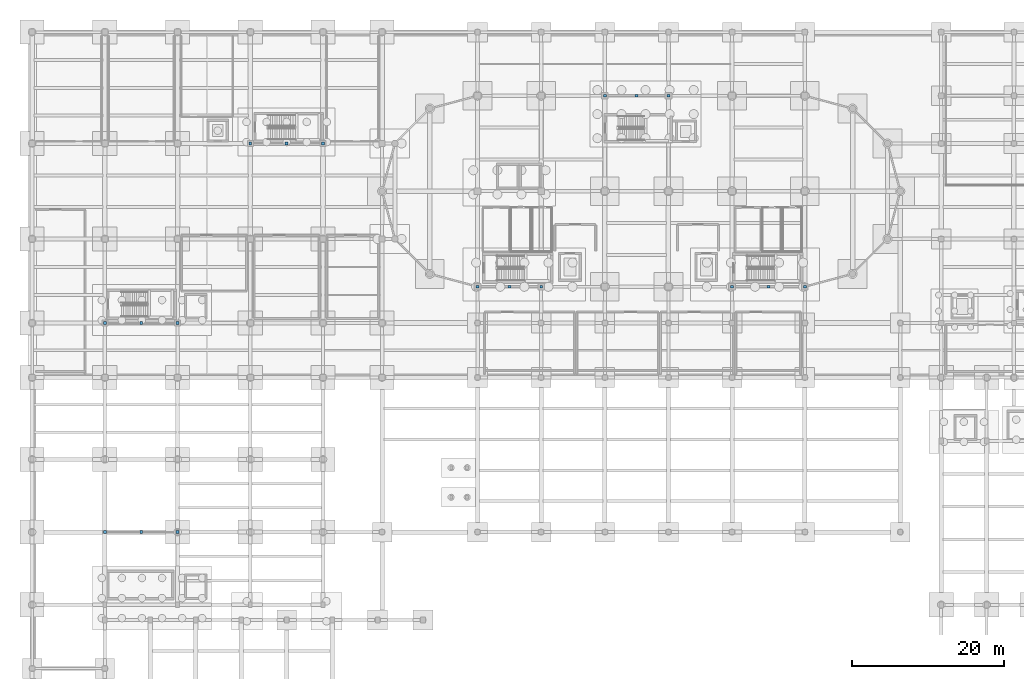
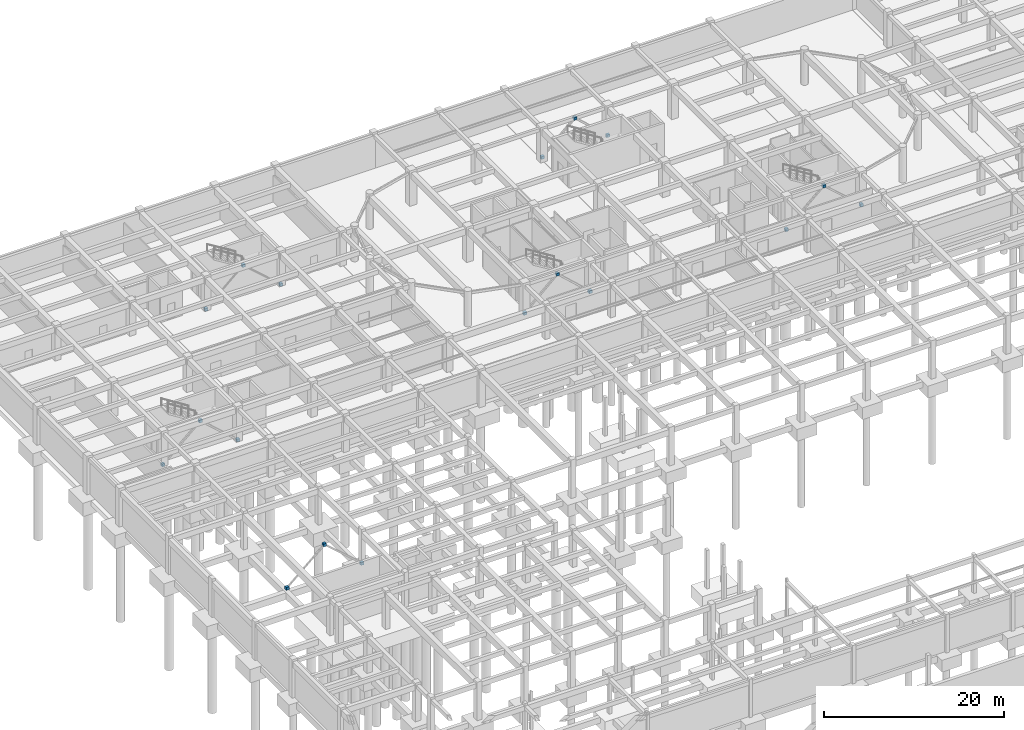
# One storey, part 30 of 37: 18 discrete accessories.
"""IFC4 building model written with IfcOpenShell, lengths in metres."""

from ifc_helpers import new_model, si_unit, direction, frame, origin, origin_2d, place, context, subcontext, project, spatial, rectangle, extrude, material, type_object, element, save


model = new_model("IFC4")

# Units and contexts
model_context = context("Model", 3, precision=1e-05, world=origin(), true_north=direction((0.0, 1.0)))
body_context = subcontext(model_context, "Body", "Model", "MODEL_VIEW")
ifc_project = project(units=[si_unit("LENGTHUNIT", "METRE"), si_unit("AREAUNIT", "SQUARE_METRE"), si_unit("VOLUMEUNIT", "CUBIC_METRE"), si_unit("PLANEANGLEUNIT", "RADIAN"), si_unit("MASSUNIT", "GRAM", prefix="KILO")], contexts=[model_context])

# Site, building, storey
site_placement = place(None, origin())
site = spatial("IfcSite", under=ifc_project, at=site_placement, CompositionType="ELEMENT")
building_placement = place(site_placement, origin())
building = spatial("IfcBuilding", under=site, at=building_placement, Name="Tarnavel Promenade Courthouse", CompositionType="ELEMENT")
storey_placement = place(building_placement, frame((0.0, 0.0, -4.800048828125)))
storey = spatial("IfcBuildingStorey", under=building, at=storey_placement, Name="B01", CompositionType="ELEMENT", Elevation=-4.800048828125)

# Discrete accessories
ifc_material = material(Name="Steel S355J2", Category="steel")
discrete_accessory_type = type_object("IfcDiscreteAccessoryType", Name="Steel S355J2 Structural Connection Bracket", PredefinedType="BRACKET", material=ifc_material)
for number, where, z_axis, x_axis, name in (
    (1, (58.800048828125, 79.199951171875, 0.22509765625), (0.0, 0.0, 1.0), (1.0, 0.0, 0.0), "B01 V5 Chevron Brace Gusset Node 001-L"),
    (2, (63.0, 79.199951171875, 4.0751953125), (0.0, 0.0, 1.0), (1.0, 0.0, 0.0), "B01 V5 Chevron Brace Gusset Node 001-M"),
    (3, (67.199951171875, 79.199951171875, 0.22509765625), (0.0, 0.0, 1.0), (1.0, 0.0, 0.0), "B01 V5 Chevron Brace Gusset Node 001-R"),
    (4, (92.39990234375, 79.199951171875, -0.18994140625), (0.0, 0.0, 1.0), (1.0, 0.0, 0.0), "B01 V5 Chevron Brace Gusset Node 011-L"),
    (5, (97.199951171875, 79.199951171875, 4.0751953125), (0.0, 0.0, 1.0), (1.0, 0.0, 0.0), "B01 V5 Chevron Brace Gusset Node 011-M"),
    (6, (102.0, 79.199951171875, -0.18994140625), (0.0, 0.0, 1.0), (1.0, 0.0, 0.0), "B01 V5 Chevron Brace Gusset Node 011-R"),
    (7, (75.60009765625, 104.39990234375, 0.22509765625), (0.0, 0.0, 1.0), (1.0, 0.0, 0.0), "B01 V5 Chevron Brace Gusset Node 021-L"),
    (8, (79.800048828125, 104.39990234375, 4.0751953125), (0.0, 0.0, 1.0), (1.0, 0.0, 0.0), "B01 V5 Chevron Brace Gusset Node 021-M"),
    (9, (84.0, 104.39990234375, 0.22509765625), (0.0, 0.0, 1.0), (1.0, 0.0, 0.0), "B01 V5 Chevron Brace Gusset Node 021-R"),
    (10, (9.60009765625, 74.39990234375, -0.18994140625), (0.0, 0.0, 1.0), (1.0, 0.0, 0.0), "B01 V2 Chevron Brace Gusset Node 028-L"),
    (11, (14.39990234375, 74.39990234375, 4.0751953125), (0.0, 0.0, 1.0), (1.0, 0.0, 0.0), "B01 V2 Chevron Brace Gusset Node 028-M"),
    (12, (19.199951171875, 74.39990234375, -0.18994140625), (0.0, 0.0, 1.0), (1.0, 0.0, 0.0), "B01 V2 Chevron Brace Gusset Node 028-R"),
    (13, (28.800048828125, 98.10009765625, -0.18994140625), (0.0, 0.0, 1.0), (1.0, 0.0, 0.0), "B01 V2 Chevron Brace Gusset Node 035-L"),
    (14, (33.60009765625, 98.10009765625, 4.0751953125), (0.0, 0.0, 1.0), (1.0, 0.0, 0.0), "B01 V2 Chevron Brace Gusset Node 035-M"),
    (15, (38.39990234375, 98.10009765625, -0.18994140625), (0.0, 0.0, 1.0), (1.0, 0.0, 0.0), "B01 V2 Chevron Brace Gusset Node 035-R"),
    (16, (9.60009765625, 46.800048828125, -0.18994140625), (0.0, 0.0, 1.0), (1.0, 0.0, 0.0), "B01 V3 Chevron Brace Gusset Node 042-L"),
    (17, (14.39990234375, 46.800048828125, 4.01513671875), (0.0, 0.0, 1.0), (1.0, 0.0, 0.0), "B01 V3 Chevron Brace Gusset Node 042-M"),
    (18, (19.199951171875, 46.800048828125, -0.18994140625), (0.0, 0.0, 1.0), (1.0, 0.0, 0.0), "B01 V3 Chevron Brace Gusset Node 042-R"),
):
    element("IfcDiscreteAccessory", number, at=place(storey_placement, frame(where, z_axis=z_axis, x_axis=x_axis)), inside=storey, type_object=discrete_accessory_type, Name=name, PredefinedType="BRACKET", context=body_context, shape_type="SweptSolid", body=[
        extrude(rectangle(XDim=0.3798828125, YDim=0.360107421875, at=origin_2d()), origin(), (0.0, 0.0, 1.0), 0.3798828125),
    ])

save(model, "model.ifc")
